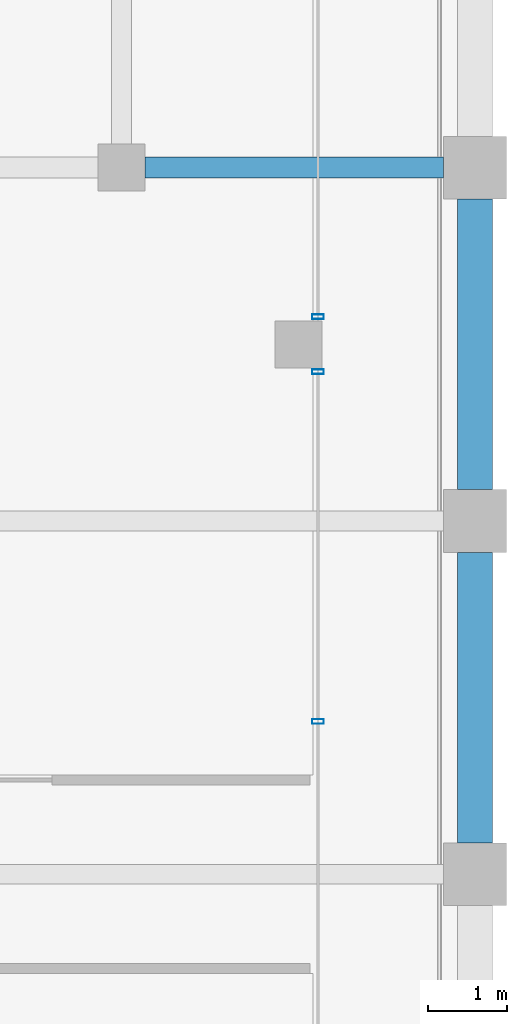
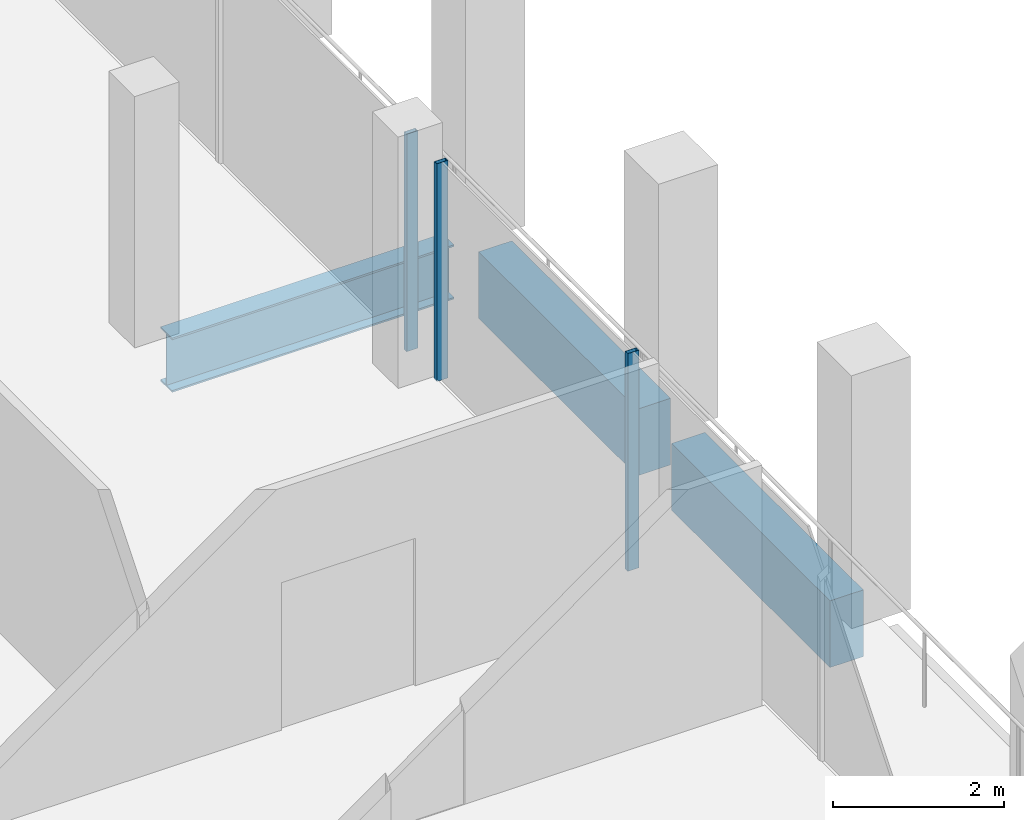
# One storey, part 19 of 30: 3 beams, 3 members, 2 elements without a shape of their own.
"""IFC4 building model written with IfcOpenShell, lengths in metres."""

from ifc_helpers import new_model, si_unit, direction, frame, origin, origin_2d, place, context, subcontext, project, spatial, rectangle, hollow_rectangle, i_section, extrude, material, material_profile, profile_set, type_object, element, aggregate, save


model = new_model("IFC4")

# Units and contexts
model_context = context("Model", 3, precision=1e-05, world=origin(), true_north=direction((0.0, 1.0)))
body_context = subcontext(model_context, "Body", "Model", "MODEL_VIEW")
ifc_project = project(units=[si_unit("LENGTHUNIT", "METRE"), si_unit("AREAUNIT", "SQUARE_METRE"), si_unit("VOLUMEUNIT", "CUBIC_METRE"), si_unit("PLANEANGLEUNIT", "RADIAN"), si_unit("MASSUNIT", "GRAM", prefix="KILO")], contexts=[model_context])

# Site, building, storey
site_placement = place(None, origin())
site = spatial("IfcSite", under=ifc_project, at=site_placement, CompositionType="ELEMENT")
building_placement = place(site_placement, origin())
building = spatial("IfcBuilding", under=site, at=building_placement, Name="Altepetl Exchange Towers", CompositionType="ELEMENT")
storey_placement = place(building_placement, frame((0.0, 0.0, 238.800048828125)))
storey = spatial("IfcBuildingStorey", under=building, at=storey_placement, Name="L61", CompositionType="ELEMENT", Elevation=238.800048828125)

# Beam
ifc_material_1 = material(Name="Steel S355", Category="steel")
ifc_material_profile_1 = material_profile(ifc_material_1, i_section(OverallWidth=0.26806640625, OverallDepth=0.77392578125, WebThickness=0.015380859375, FlangeThickness=0.025390625, at=origin_2d()), Name="W30X132")
ifc_profile_set_1 = profile_set([ifc_material_profile_1], Name="Steel S355")
beam_type_1 = type_object("IfcBeamType", Name="Girder W30X132", PredefinedType="BEAM", material=ifc_profile_set_1)
beam_placement = place(storey_placement, frame((67.800048828125, 58.5, -0.537109375), z_axis=(1.0, 0.0, 0.0), x_axis=(0.0, 1.0, 0.0)))
element("IfcBeam", 1, at=beam_placement, inside=storey, type_object=beam_type_1, Name="gd:A:L61:002", PredefinedType="BEAM", context=body_context, shape_type="SweptSolid", body=[
    extrude(i_section(OverallWidth=0.26806640625, OverallDepth=0.77392578125, WebThickness=0.015380859375, FlangeThickness=0.025390625, at=origin_2d()), origin(), (0.0, 0.0, 1.0), 3.800048828125),
])

# Curtain wall, members
ifc_material_2 = material(Name="Aluminium 6063-T6 glazing", Category="aluminium")
curtain_wall_type = type_object("IfcCurtainWallType", Name="Loggia glazing system", PredefinedType="NOTDEFINED", material=ifc_material_2)
curtain_wall_1_placement = place(storey_placement, origin())
curtain_wall_1 = element("IfcCurtainWall", 2, at=curtain_wall_1_placement, inside=storey, type_object=curtain_wall_type, Name="CW1 run", PredefinedType="NOTDEFINED")
ifc_material_3 = material(Name="Aluminium 6063-T6", Category="aluminium")
ifc_material_profile_2 = material_profile(ifc_material_3, hollow_rectangle(XDim=0.06005859375, YDim=0.14990234375, WallThickness=0.0029296875, at=origin_2d()), Name="Mullion 60x150 aluminium")
ifc_profile_set_2 = profile_set([ifc_material_profile_2], Name="Aluminium 6063-T6")
member_type = type_object("IfcMemberType", Name="Mullion 60x150 aluminium", PredefinedType="MULLION", material=ifc_profile_set_2)
member_1_placement = place(storey_placement, frame((70.0, 51.444091796875, 0.0), z_axis=(0.0, 0.0, 1.0), x_axis=(0.0, 1.0, 0.0)))
member_1 = element("IfcMember", 3, at=member_1_placement, type_object=member_type, Name="MU1 mullion", PredefinedType="MULLION", context=body_context, shape_type="SweptSolid", body=[
    extrude(hollow_rectangle(XDim=0.06005859375, YDim=0.14990234375, WallThickness=0.0029296875, at=origin_2d()), origin(), (0.0, 0.0, 1.0), 3.099853515625),
])
member_2_placement = place(storey_placement, frame((70.0, 55.89990234375, 0.0), z_axis=(0.0, 0.0, 1.0), x_axis=(0.0, 1.0, 0.0)))
member_2 = element("IfcMember", 4, at=member_2_placement, type_object=member_type, Name="MU1 mullion", PredefinedType="MULLION", context=body_context, shape_type="SweptSolid", body=[
    extrude(hollow_rectangle(XDim=0.06005859375, YDim=0.14990234375, WallThickness=0.0029296875, at=origin_2d()), origin(), (0.0, 0.0, 1.0), 3.099853515625),
])
aggregate(curtain_wall_1, [member_1, member_2])

# Curtain wall, member
curtain_wall_2_placement = place(storey_placement, origin())
curtain_wall_2 = element("IfcCurtainWall", 5, at=curtain_wall_2_placement, inside=storey, type_object=curtain_wall_type, Name="CW1 run", PredefinedType="NOTDEFINED")
member_3_placement = place(storey_placement, frame((70.0, 56.60009765625, 0.0), z_axis=(0.0, 0.0, 1.0), x_axis=(0.0, 1.0, 0.0)))
member_3 = element("IfcMember", 6, at=member_3_placement, type_object=member_type, Name="MU1 mullion", PredefinedType="MULLION", context=body_context, shape_type="SweptSolid", body=[
    extrude(hollow_rectangle(XDim=0.06005859375, YDim=0.14990234375, WallThickness=0.0029296875, at=origin_2d()), origin(), (0.0, 0.0, 1.0), 3.099853515625),
])
aggregate(curtain_wall_2, [member_3])

# Beams
ifc_material_4 = material(Name="Concrete C50/60 precast with cantera amarilla facing", Category="concrete")
ifc_material_profile_3 = material_profile(ifc_material_4, rectangle(XDim=0.449951171875, YDim=0.949951171875, at=origin_2d()), Name="450 x 950")
ifc_profile_set_3 = profile_set([ifc_material_profile_3], Name="Concrete C50/60 precast with cantera amarilla facing")
beam_type_2 = type_object("IfcBeamType", Name="Spandrel beam 450x950 cantera amarilla", PredefinedType="SPANDREL", material=ifc_profile_set_3)
for number, where, z_axis, x_axis, name in (
    (7, (72.0, 49.89990234375, -0.625), (0.0, 1.0, 0.0), (-1.0, 0.0, 0.0), "sp:A:L61:016"),
    (8, (72.0, 54.39990234375, -0.625), (0.0, 1.0, 0.0), (-1.0, 0.0, 0.0), "sp:A:L61:017"),
):
    element("IfcBeam", number, at=place(storey_placement, frame(where, z_axis=z_axis, x_axis=x_axis)), inside=storey, type_object=beam_type_2, Name=name, PredefinedType="SPANDREL", context=body_context, shape_type="SweptSolid", body=[
        extrude(rectangle(XDim=0.449951171875, YDim=0.949951171875, at=origin_2d()), origin(), (0.0, 0.0, 1.0), 3.7001953125),
    ])

save(model, "model.ifc")
